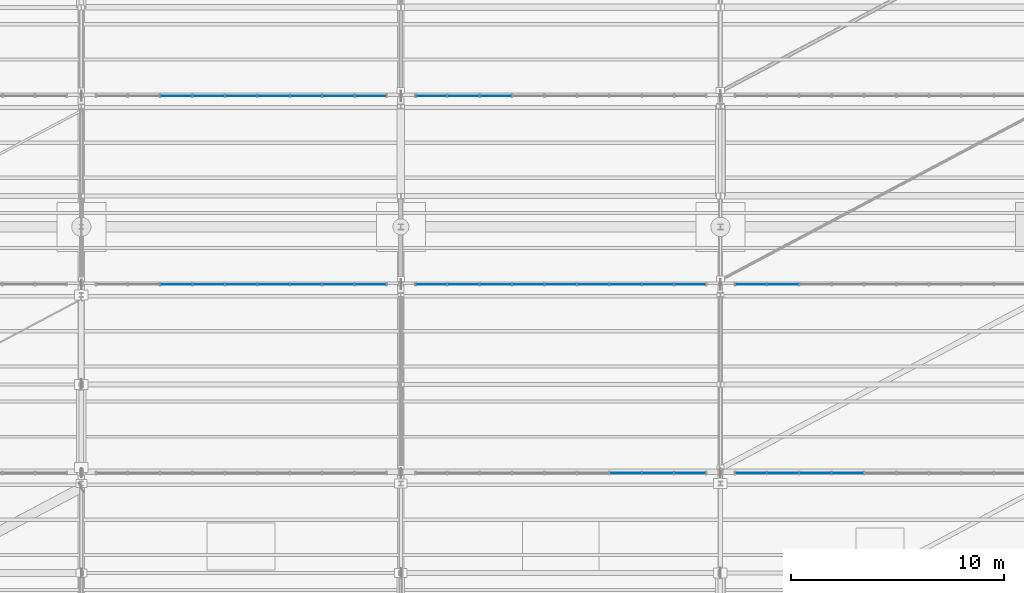
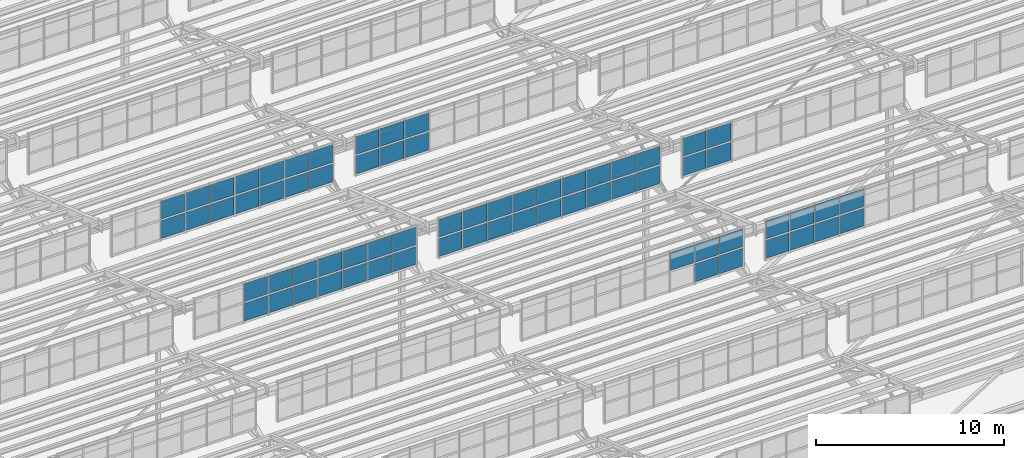
# One storey, part 172 of 285: 69 plates, 7 elements without a shape of their own.
"""IFC4 building model written with IfcOpenShell, lengths in metres."""

import ifcopenshell
import ifcopenshell.guid

model = None  # the IFC model being written
_history = None  # IfcOwnerHistory: only IFC2X3 demands one
_inside = {}  # id of a spatial element -> (the spatial element, [elements in it])
_under = {}  # id of a project, library or spatial element -> (it, [spatial elements below it])
_declared = {}  # id of a project -> (the project, [libraries it declares])
_typed = {}  # id of a type object -> (the type object, [elements of that type])
_made_of = {}  # id of a material, layer set ... -> (it, [elements and type objects made of it])


def new_model(schema):
    """Start an empty IFC model of exactly this schema.

    Asked for "IFC4X3", IfcOpenShell would pick the latest addendum, in which some entities
    have other attributes; the version numbers below select the first issue.
    IFC2X3 requires an IfcOwnerHistory on every rooted entity: one is made here for all.
    """
    global model, _history
    if schema == "IFC4X3":
        model = ifcopenshell.file(schema_version=(4, 3, 0, 0))
    else:
        model = ifcopenshell.file(schema=schema)
    _inside.clear()
    _under.clear()
    _declared.clear()
    _typed.clear()
    _made_of.clear()
    _history = None
    if model.schema == "IFC2X3":
        org = make("IfcOrganization", Name="unknown")
        user = make(
            "IfcPersonAndOrganization",
            ThePerson=make("IfcPerson", FamilyName="unknown"),
            TheOrganization=org,
        )
        app = make(
            "IfcApplication",
            ApplicationDeveloper=org,
            Version="unknown",
            ApplicationFullName="unknown",
            ApplicationIdentifier="unknown",
        )
        _history = make(
            "IfcOwnerHistory",
            OwningUser=user,
            OwningApplication=app,
            ChangeAction="ADDED",
            CreationDate=0,
        )
    return model


def make(cls, **values):
    """One entity of the class cls with the attributes given. An attribute that is None is left unset."""
    return model.create_entity(
        cls, **{name: value for name, value in values.items() if value is not None}
    )


def rooted(cls, **values):
    """An entity with a GlobalId (a new one), such as an element, a storey or a relation."""
    return make(cls, GlobalId=ifcopenshell.guid.new(), OwnerHistory=_history, **values)


def si_unit(unit_type, name, prefix=None):
    """IfcSIUnit, for example si_unit("LENGTHUNIT", "METRE", prefix="MILLI")."""
    return make("IfcSIUnit", UnitType=unit_type, Prefix=prefix, Name=name)


def assignment(units):
    """IfcUnitAssignment: the units of a project."""
    return None if units is None else make("IfcUnitAssignment", Units=units)


def point(xyz):
    """IfcCartesianPoint."""
    return None if xyz is None else make("IfcCartesianPoint", Coordinates=xyz)


def direction(xyz):
    """IfcDirection."""
    return None if xyz is None else make("IfcDirection", DirectionRatios=xyz)


def frame(location, z_axis=None, x_axis=None):
    """IfcAxis2Placement3D, a coordinate frame: its origin and axes. An axis left out is left unset."""
    return make(
        "IfcAxis2Placement3D",
        Location=point(location),
        Axis=direction(z_axis),
        RefDirection=direction(x_axis),
    )


def frame_2d(location, x_axis=None):
    """IfcAxis2Placement2D, a coordinate frame in the plane: its origin and x axis."""
    return make(
        "IfcAxis2Placement2D", Location=point(location), RefDirection=direction(x_axis)
    )


def origin():
    """The frame at (0, 0, 0) with its axes left unset."""
    return frame((0.0, 0.0, 0.0))


def origin_2d():
    """The frame at (0, 0) in the plane with its x axis left unset."""
    return frame_2d((0.0, 0.0))


def place(relative_to, where):
    """IfcLocalPlacement: puts the frame where relative to a parent placement (None: the world)."""
    return make(
        "IfcLocalPlacement", PlacementRelTo=relative_to, RelativePlacement=where
    )


def context(
    kind, dimensions, precision=None, world=None, true_north=None, identifier=None
):
    """IfcGeometricRepresentationContext, for example the 3D "Model" context."""
    return make(
        "IfcGeometricRepresentationContext",
        ContextIdentifier=identifier,
        ContextType=kind,
        CoordinateSpaceDimension=dimensions,
        Precision=precision,
        WorldCoordinateSystem=world,
        TrueNorth=true_north,
    )


def subcontext(parent, identifier, kind, view, scale=None):
    """IfcGeometricRepresentationSubContext, for example "Body" below "Model"."""
    return make(
        "IfcGeometricRepresentationSubContext",
        ContextIdentifier=identifier,
        ContextType=kind,
        ParentContext=parent,
        TargetScale=scale,
        TargetView=view,
    )


def project(units=None, contexts=None):
    """IfcProject with its units and contexts."""
    return rooted(
        "IfcProject",
        Name="project",
        RepresentationContexts=contexts,
        UnitsInContext=assignment(units),
    )


def spatial(cls, under=None, at=None, **own):
    """A site, building, storey or space (cls), placed at a placement, below another one or the project."""
    s = rooted(cls, ObjectPlacement=at, **own)
    if under is not None:
        _under.setdefault(under.id(), (under, []))[1].append(s)
    return s


def profile(cls, at=None, kind="AREA", **sizes):
    """A parametric profile (cls). Its sizes go by their IFC names, for example OverallWidth=200.0."""
    return make(cls, ProfileType=kind, Position=at, **sizes)


def rectangle(**sizes):
    """IfcRectangleProfileDef."""
    return profile("IfcRectangleProfileDef", **sizes)


def extrude(swept, where, along, depth):
    """IfcExtrudedAreaSolid: the profile swept, set in the frame where, extruded along a direction by depth."""
    return make(
        "IfcExtrudedAreaSolid",
        SweptArea=swept,
        Position=where,
        ExtrudedDirection=direction(along),
        Depth=depth,
    )


def shape(context_of_items, identifier, shape_type, items):
    """IfcShapeRepresentation: the items that make up one representation, for example the "Body"."""
    return make(
        "IfcShapeRepresentation",
        ContextOfItems=context_of_items,
        RepresentationIdentifier=identifier,
        RepresentationType=shape_type,
        Items=items,
    )


def material(Name=None, Category=None):
    """IfcMaterial."""
    return make("IfcMaterial", Name=Name, Category=Category)


def layer(
    of_material, thickness, ventilated=None, Name=None, Category=None, Priority=None
):
    """IfcMaterialLayer: one layer of a wall or slab, of a material (None: an air gap)."""
    return make(
        "IfcMaterialLayer",
        Material=of_material,
        LayerThickness=thickness,
        IsVentilated=ventilated,
        Name=Name,
        Category=Category,
        Priority=Priority,
    )


def layer_set(layers, Name=None):
    """IfcMaterialLayerSet."""
    return make("IfcMaterialLayerSet", MaterialLayers=layers, LayerSetName=Name)


def made_of(thing, what):
    """Note that an element or type object is made of a material, layer set ...; save() writes the relation."""
    if what is not None:
        _made_of.setdefault(what.id(), (what, []))[1].append(thing)
    return thing


def type_object(cls, material=None, **own):
    """A type object (cls), such as IfcWallType, which elements share."""
    return made_of(rooted(cls, **own), material)


def element(
    cls,
    number,
    at=None,
    inside=None,
    cuts=None,
    type_object=None,
    material=None,
    context=None,
    identifier="Body",
    shape_type=None,
    held_by="IfcProductDefinitionShape",
    body=None,
    shapes=None,
    **own,
):
    """One element of the class cls, such as IfcWall. Its Tag is "e" and its number.

    at: its placement. inside: the storey or other place that contains it. cuts: it is an
    opening in that element (IfcRelVoidsElement). A single representation is given by context,
    identifier, shape_type and body (its items); several are given by shapes. held_by: the class
    of the entity that holds the representations. save() writes the other relations.
    """
    e = rooted(cls, Tag="e%d" % number, ObjectPlacement=at, **own)
    if body is not None:
        shapes = [shape(context, identifier, shape_type, body)]
    if shapes is not None:
        e.Representation = make(held_by, Representations=shapes)
    if inside is not None:
        _inside.setdefault(inside.id(), (inside, []))[1].append(e)
    if cuts is not None:
        rooted(
            "IfcRelVoidsElement", RelatingBuildingElement=cuts, RelatedOpeningElement=e
        )
    if type_object is not None:
        _typed.setdefault(type_object.id(), (type_object, []))[1].append(e)
    return made_of(e, material)


def aggregate(whole, parts):
    """IfcRelAggregates: a whole, such as a stair, and the parts it consists of."""
    return rooted("IfcRelAggregates", RelatingObject=whole, RelatedObjects=parts)


def save(model, path):
    """Write the relations noted so far, then the file.

    IfcRelAggregates (storeys below a building ...), IfcRelContainedInSpatialStructure (elements
    in a storey), IfcRelDefinesByType, IfcRelAssociatesMaterial and IfcRelDeclares: one each for
    every whole, place, type object, material and project.
    """
    for whole, parts in _under.values():
        aggregate(whole, parts)
    for where, things in _inside.values():
        rooted(
            "IfcRelContainedInSpatialStructure",
            RelatedElements=things,
            RelatingStructure=where,
        )
    for kind, things in _typed.values():
        rooted("IfcRelDefinesByType", RelatedObjects=things, RelatingType=kind)
    for what, things in _made_of.values():
        rooted("IfcRelAssociatesMaterial", RelatedObjects=things, RelatingMaterial=what)
    for by, libraries in _declared.values():
        rooted("IfcRelDeclares", RelatingContext=by, RelatedDefinitions=libraries)
    model.write(path)


model = new_model("IFC4")

# Units and contexts
model_context = context("Model", 3, precision=1e-05, world=origin(), true_north=direction((0.0, 1.0)))
body_context = subcontext(model_context, "Body", "Model", "MODEL_VIEW")
ifc_project = project(units=[si_unit("LENGTHUNIT", "METRE"), si_unit("AREAUNIT", "SQUARE_METRE"), si_unit("VOLUMEUNIT", "CUBIC_METRE"), si_unit("PLANEANGLEUNIT", "RADIAN"), si_unit("MASSUNIT", "GRAM", prefix="KILO")], contexts=[model_context])

# Site, building, storey
site_placement = place(None, origin())
site = spatial("IfcSite", under=ifc_project, at=site_placement, CompositionType="ELEMENT")
building_placement = place(site_placement, origin())
building = spatial("IfcBuilding", under=site, at=building_placement, Name="Solanera Park Tramway Depot", CompositionType="ELEMENT")
storey_placement = place(building_placement, origin())
storey = spatial("IfcBuildingStorey", under=building, at=storey_placement, Name="L00", CompositionType="ELEMENT", Elevation=0.0)

# Curtain wall, plates
ifc_material_1 = material(Name="Bronze-anodised thermally broken aluminium curtain wall", Category="aluminium")
curtain_wall_type = type_object("IfcCurtainWallType", Name="Sawtooth Clerestory Monitor Curtain Wall", PredefinedType="NOTDEFINED", material=ifc_material_1)
curtain_wall_1_placement = place(storey_placement, origin())
curtain_wall_1 = element("IfcCurtainWall", 1, at=curtain_wall_1_placement, inside=storey, type_object=curtain_wall_type, Name="L00 Sawtooth Clerestory Monitor Curtain Wall #016", PredefinedType="NOTDEFINED")
ifc_material_2 = material(Name="Low-E laminated solar-control double glazing", Category="glass")
ifc_layer = layer(ifc_material_2, 0.028076171875)
ifc_layer_set = layer_set([ifc_layer], Name="Low-E laminated solar-control double glazing")
plate_type = type_object("IfcPlateType", Name="Curtain Wall Double Glazing Panel 28", PredefinedType="CURTAIN_PANEL", material=ifc_layer_set)
plate_1_placement = place(storey_placement, frame((87.066650390625, 73.449951171875, 7.862060546875), z_axis=(0.0, 0.0, 1.0), x_axis=(1.0, 0.0, 0.0)))
plate_1 = element("IfcPlate", 2, at=plate_1_placement, type_object=plate_type, Name="CW-L00-016 Glazing Panel R1.C8", PredefinedType="CURTAIN_PANEL", context=body_context, shape_type="SweptSolid", body=[
    extrude(rectangle(XDim=1.47021484375, YDim=0.028076171875, at=origin_2d()), origin(), (0.0, 0.0, 1.0), 1.16650390625),
])
plate_2_placement = place(storey_placement, frame((88.572509765625, 73.449951171875, 7.862060546875), z_axis=(0.0, 0.0, 1.0), x_axis=(1.0, 0.0, 0.0)))
plate_2 = element("IfcPlate", 3, at=plate_2_placement, type_object=plate_type, Name="CW-L00-016 Glazing Panel R1.C9", PredefinedType="CURTAIN_PANEL", context=body_context, shape_type="SweptSolid", body=[
    extrude(rectangle(XDim=1.437744140625, YDim=0.028076171875, at=origin_2d()), origin(), (0.0, 0.0, 1.0), 1.16650390625),
])
plate_3_placement = place(storey_placement, frame((85.54443359375, 73.449951171875, 9.132568359375), z_axis=(0.0, 0.0, 1.0), x_axis=(1.0, 0.0, 0.0)))
plate_3 = element("IfcPlate", 4, at=plate_3_placement, type_object=plate_type, Name="CW-L00-016 Glazing Panel R2.C7", PredefinedType="CURTAIN_PANEL", context=body_context, shape_type="SweptSolid", body=[
    extrude(rectangle(XDim=1.47021484375, YDim=0.028076171875, at=origin_2d()), origin(), (0.0, 0.0, 1.0), 1.16650390625),
])
plate_4_placement = place(storey_placement, frame((87.066650390625, 73.449951171875, 9.132568359375), z_axis=(0.0, 0.0, 1.0), x_axis=(1.0, 0.0, 0.0)))
plate_4 = element("IfcPlate", 5, at=plate_4_placement, type_object=plate_type, Name="CW-L00-016 Glazing Panel R2.C8", PredefinedType="CURTAIN_PANEL", context=body_context, shape_type="SweptSolid", body=[
    extrude(rectangle(XDim=1.47021484375, YDim=0.028076171875, at=origin_2d()), origin(), (0.0, 0.0, 1.0), 1.16650390625),
])
plate_5_placement = place(storey_placement, frame((88.572509765625, 73.449951171875, 9.132568359375), z_axis=(0.0, 0.0, 1.0), x_axis=(1.0, 0.0, 0.0)))
plate_5 = element("IfcPlate", 6, at=plate_5_placement, type_object=plate_type, Name="CW-L00-016 Glazing Panel R2.C9", PredefinedType="CURTAIN_PANEL", context=body_context, shape_type="SweptSolid", body=[
    extrude(rectangle(XDim=1.437744140625, YDim=0.028076171875, at=origin_2d()), origin(), (0.0, 0.0, 1.0), 1.16650390625),
])
aggregate(curtain_wall_1, [plate_1, plate_2, plate_3, plate_4, plate_5])

curtain_wall_2_placement = place(storey_placement, origin())
curtain_wall_2 = element("IfcCurtainWall", 7, at=curtain_wall_2_placement, inside=storey, type_object=curtain_wall_type, Name="L00 Sawtooth Clerestory Monitor Curtain Wall #017", PredefinedType="NOTDEFINED")
plate_6_placement = place(storey_placement, frame((91.427490234375, 73.449951171875, 7.862060546875), z_axis=(0.0, 0.0, 1.0), x_axis=(1.0, 0.0, 0.0)))
plate_6 = element("IfcPlate", 8, at=plate_6_placement, type_object=plate_type, Name="CW-L00-017 Glazing Panel R1.C1", PredefinedType="CURTAIN_PANEL", context=body_context, shape_type="SweptSolid", body=[
    extrude(rectangle(XDim=1.437744140625, YDim=0.028076171875, at=origin_2d()), origin(), (0.0, 0.0, 1.0), 1.16650390625),
])
plate_7_placement = place(storey_placement, frame((92.933349609375, 73.449951171875, 7.862060546875), z_axis=(0.0, 0.0, 1.0), x_axis=(1.0, 0.0, 0.0)))
plate_7 = element("IfcPlate", 9, at=plate_7_placement, type_object=plate_type, Name="CW-L00-017 Glazing Panel R1.C2", PredefinedType="CURTAIN_PANEL", context=body_context, shape_type="SweptSolid", body=[
    extrude(rectangle(XDim=1.47021484375, YDim=0.028076171875, at=origin_2d()), origin(), (0.0, 0.0, 1.0), 1.16650390625),
])
plate_8_placement = place(storey_placement, frame((94.45556640625, 73.449951171875, 7.862060546875), z_axis=(0.0, 0.0, 1.0), x_axis=(1.0, 0.0, 0.0)))
plate_8 = element("IfcPlate", 10, at=plate_8_placement, type_object=plate_type, Name="CW-L00-017 Glazing Panel R1.C3", PredefinedType="CURTAIN_PANEL", context=body_context, shape_type="SweptSolid", body=[
    extrude(rectangle(XDim=1.47021484375, YDim=0.028076171875, at=origin_2d()), origin(), (0.0, 0.0, 1.0), 1.16650390625),
])
plate_9_placement = place(storey_placement, frame((95.977783203125, 73.449951171875, 7.862060546875), z_axis=(0.0, 0.0, 1.0), x_axis=(1.0, 0.0, 0.0)))
plate_9 = element("IfcPlate", 11, at=plate_9_placement, type_object=plate_type, Name="CW-L00-017 Glazing Panel R1.C4", PredefinedType="CURTAIN_PANEL", context=body_context, shape_type="SweptSolid", body=[
    extrude(rectangle(XDim=1.47021484375, YDim=0.028076171875, at=origin_2d()), origin(), (0.0, 0.0, 1.0), 1.16650390625),
])
plate_10_placement = place(storey_placement, frame((91.427490234375, 73.449951171875, 9.132568359375), z_axis=(0.0, 0.0, 1.0), x_axis=(1.0, 0.0, 0.0)))
plate_10 = element("IfcPlate", 12, at=plate_10_placement, type_object=plate_type, Name="CW-L00-017 Glazing Panel R2.C1", PredefinedType="CURTAIN_PANEL", context=body_context, shape_type="SweptSolid", body=[
    extrude(rectangle(XDim=1.437744140625, YDim=0.028076171875, at=origin_2d()), origin(), (0.0, 0.0, 1.0), 1.16650390625),
])
plate_11_placement = place(storey_placement, frame((92.933349609375, 73.449951171875, 9.132568359375), z_axis=(0.0, 0.0, 1.0), x_axis=(1.0, 0.0, 0.0)))
plate_11 = element("IfcPlate", 13, at=plate_11_placement, type_object=plate_type, Name="CW-L00-017 Glazing Panel R2.C2", PredefinedType="CURTAIN_PANEL", context=body_context, shape_type="SweptSolid", body=[
    extrude(rectangle(XDim=1.47021484375, YDim=0.028076171875, at=origin_2d()), origin(), (0.0, 0.0, 1.0), 1.16650390625),
])
plate_12_placement = place(storey_placement, frame((94.45556640625, 73.449951171875, 9.132568359375), z_axis=(0.0, 0.0, 1.0), x_axis=(1.0, 0.0, 0.0)))
plate_12 = element("IfcPlate", 14, at=plate_12_placement, type_object=plate_type, Name="CW-L00-017 Glazing Panel R2.C3", PredefinedType="CURTAIN_PANEL", context=body_context, shape_type="SweptSolid", body=[
    extrude(rectangle(XDim=1.47021484375, YDim=0.028076171875, at=origin_2d()), origin(), (0.0, 0.0, 1.0), 1.16650390625),
])
plate_13_placement = place(storey_placement, frame((95.977783203125, 73.449951171875, 9.132568359375), z_axis=(0.0, 0.0, 1.0), x_axis=(1.0, 0.0, 0.0)))
plate_13 = element("IfcPlate", 15, at=plate_13_placement, type_object=plate_type, Name="CW-L00-017 Glazing Panel R2.C4", PredefinedType="CURTAIN_PANEL", context=body_context, shape_type="SweptSolid", body=[
    extrude(rectangle(XDim=1.47021484375, YDim=0.028076171875, at=origin_2d()), origin(), (0.0, 0.0, 1.0), 1.16650390625),
])
aggregate(curtain_wall_2, [plate_6, plate_7, plate_8, plate_9, plate_10, plate_11, plate_12, plate_13])

curtain_wall_3_placement = place(storey_placement, origin())
curtain_wall_3 = element("IfcCurtainWall", 16, at=curtain_wall_3_placement, inside=storey, type_object=curtain_wall_type, Name="L00 Sawtooth Clerestory Monitor Curtain Wall #023", PredefinedType="NOTDEFINED")
plate_14_placement = place(storey_placement, frame((64.45556640625, 82.300048828125, 7.862060546875), z_axis=(0.0, 0.0, 1.0), x_axis=(1.0, 0.0, 0.0)))
plate_14 = element("IfcPlate", 17, at=plate_14_placement, type_object=plate_type, Name="CW-L00-023 Glazing Panel R1.C3", PredefinedType="CURTAIN_PANEL", context=body_context, shape_type="SweptSolid", body=[
    extrude(rectangle(XDim=1.47021484375, YDim=0.028076171875, at=origin_2d()), origin(), (0.0, 0.0, 1.0), 1.16650390625),
])
plate_15_placement = place(storey_placement, frame((65.977783203125, 82.300048828125, 7.862060546875), z_axis=(0.0, 0.0, 1.0), x_axis=(1.0, 0.0, 0.0)))
plate_15 = element("IfcPlate", 18, at=plate_15_placement, type_object=plate_type, Name="CW-L00-023 Glazing Panel R1.C4", PredefinedType="CURTAIN_PANEL", context=body_context, shape_type="SweptSolid", body=[
    extrude(rectangle(XDim=1.47021484375, YDim=0.028076171875, at=origin_2d()), origin(), (0.0, 0.0, 1.0), 1.16650390625),
])
plate_16_placement = place(storey_placement, frame((67.5, 82.300048828125, 7.862060546875), z_axis=(0.0, 0.0, 1.0), x_axis=(1.0, 0.0, 0.0)))
plate_16 = element("IfcPlate", 19, at=plate_16_placement, type_object=plate_type, Name="CW-L00-023 Glazing Panel R1.C5", PredefinedType="CURTAIN_PANEL", context=body_context, shape_type="SweptSolid", body=[
    extrude(rectangle(XDim=1.47021484375, YDim=0.028076171875, at=origin_2d()), origin(), (0.0, 0.0, 1.0), 1.16650390625),
])
plate_17_placement = place(storey_placement, frame((69.022216796875, 82.300048828125, 7.862060546875), z_axis=(0.0, 0.0, 1.0), x_axis=(1.0, 0.0, 0.0)))
plate_17 = element("IfcPlate", 20, at=plate_17_placement, type_object=plate_type, Name="CW-L00-023 Glazing Panel R1.C6", PredefinedType="CURTAIN_PANEL", context=body_context, shape_type="SweptSolid", body=[
    extrude(rectangle(XDim=1.47021484375, YDim=0.028076171875, at=origin_2d()), origin(), (0.0, 0.0, 1.0), 1.16650390625),
])
plate_18_placement = place(storey_placement, frame((70.54443359375, 82.300048828125, 7.862060546875), z_axis=(0.0, 0.0, 1.0), x_axis=(1.0, 0.0, 0.0)))
plate_18 = element("IfcPlate", 21, at=plate_18_placement, type_object=plate_type, Name="CW-L00-023 Glazing Panel R1.C7", PredefinedType="CURTAIN_PANEL", context=body_context, shape_type="SweptSolid", body=[
    extrude(rectangle(XDim=1.47021484375, YDim=0.028076171875, at=origin_2d()), origin(), (0.0, 0.0, 1.0), 1.16650390625),
])
plate_19_placement = place(storey_placement, frame((72.066650390625, 82.300048828125, 7.862060546875), z_axis=(0.0, 0.0, 1.0), x_axis=(1.0, 0.0, 0.0)))
plate_19 = element("IfcPlate", 22, at=plate_19_placement, type_object=plate_type, Name="CW-L00-023 Glazing Panel R1.C8", PredefinedType="CURTAIN_PANEL", context=body_context, shape_type="SweptSolid", body=[
    extrude(rectangle(XDim=1.47021484375, YDim=0.028076171875, at=origin_2d()), origin(), (0.0, 0.0, 1.0), 1.16650390625),
])
plate_20_placement = place(storey_placement, frame((73.572509765625, 82.300048828125, 7.862060546875), z_axis=(0.0, 0.0, 1.0), x_axis=(1.0, 0.0, 0.0)))
plate_20 = element("IfcPlate", 23, at=plate_20_placement, type_object=plate_type, Name="CW-L00-023 Glazing Panel R1.C9", PredefinedType="CURTAIN_PANEL", context=body_context, shape_type="SweptSolid", body=[
    extrude(rectangle(XDim=1.437744140625, YDim=0.028076171875, at=origin_2d()), origin(), (0.0, 0.0, 1.0), 1.16650390625),
])
plate_21_placement = place(storey_placement, frame((64.45556640625, 82.300048828125, 9.132568359375), z_axis=(0.0, 0.0, 1.0), x_axis=(1.0, 0.0, 0.0)))
plate_21 = element("IfcPlate", 24, at=plate_21_placement, type_object=plate_type, Name="CW-L00-023 Glazing Panel R2.C3", PredefinedType="CURTAIN_PANEL", context=body_context, shape_type="SweptSolid", body=[
    extrude(rectangle(XDim=1.47021484375, YDim=0.028076171875, at=origin_2d()), origin(), (0.0, 0.0, 1.0), 1.16650390625),
])
plate_22_placement = place(storey_placement, frame((65.977783203125, 82.300048828125, 9.132568359375), z_axis=(0.0, 0.0, 1.0), x_axis=(1.0, 0.0, 0.0)))
plate_22 = element("IfcPlate", 25, at=plate_22_placement, type_object=plate_type, Name="CW-L00-023 Glazing Panel R2.C4", PredefinedType="CURTAIN_PANEL", context=body_context, shape_type="SweptSolid", body=[
    extrude(rectangle(XDim=1.47021484375, YDim=0.028076171875, at=origin_2d()), origin(), (0.0, 0.0, 1.0), 1.16650390625),
])
plate_23_placement = place(storey_placement, frame((67.5, 82.300048828125, 9.132568359375), z_axis=(0.0, 0.0, 1.0), x_axis=(1.0, 0.0, 0.0)))
plate_23 = element("IfcPlate", 26, at=plate_23_placement, type_object=plate_type, Name="CW-L00-023 Glazing Panel R2.C5", PredefinedType="CURTAIN_PANEL", context=body_context, shape_type="SweptSolid", body=[
    extrude(rectangle(XDim=1.47021484375, YDim=0.028076171875, at=origin_2d()), origin(), (0.0, 0.0, 1.0), 1.16650390625),
])
plate_24_placement = place(storey_placement, frame((69.022216796875, 82.300048828125, 9.132568359375), z_axis=(0.0, 0.0, 1.0), x_axis=(1.0, 0.0, 0.0)))
plate_24 = element("IfcPlate", 27, at=plate_24_placement, type_object=plate_type, Name="CW-L00-023 Glazing Panel R2.C6", PredefinedType="CURTAIN_PANEL", context=body_context, shape_type="SweptSolid", body=[
    extrude(rectangle(XDim=1.47021484375, YDim=0.028076171875, at=origin_2d()), origin(), (0.0, 0.0, 1.0), 1.16650390625),
])
plate_25_placement = place(storey_placement, frame((70.54443359375, 82.300048828125, 9.132568359375), z_axis=(0.0, 0.0, 1.0), x_axis=(1.0, 0.0, 0.0)))
plate_25 = element("IfcPlate", 28, at=plate_25_placement, type_object=plate_type, Name="CW-L00-023 Glazing Panel R2.C7", PredefinedType="CURTAIN_PANEL", context=body_context, shape_type="SweptSolid", body=[
    extrude(rectangle(XDim=1.47021484375, YDim=0.028076171875, at=origin_2d()), origin(), (0.0, 0.0, 1.0), 1.16650390625),
])
plate_26_placement = place(storey_placement, frame((72.066650390625, 82.300048828125, 9.132568359375), z_axis=(0.0, 0.0, 1.0), x_axis=(1.0, 0.0, 0.0)))
plate_26 = element("IfcPlate", 29, at=plate_26_placement, type_object=plate_type, Name="CW-L00-023 Glazing Panel R2.C8", PredefinedType="CURTAIN_PANEL", context=body_context, shape_type="SweptSolid", body=[
    extrude(rectangle(XDim=1.47021484375, YDim=0.028076171875, at=origin_2d()), origin(), (0.0, 0.0, 1.0), 1.16650390625),
])
plate_27_placement = place(storey_placement, frame((73.572509765625, 82.300048828125, 9.132568359375), z_axis=(0.0, 0.0, 1.0), x_axis=(1.0, 0.0, 0.0)))
plate_27 = element("IfcPlate", 30, at=plate_27_placement, type_object=plate_type, Name="CW-L00-023 Glazing Panel R2.C9", PredefinedType="CURTAIN_PANEL", context=body_context, shape_type="SweptSolid", body=[
    extrude(rectangle(XDim=1.437744140625, YDim=0.028076171875, at=origin_2d()), origin(), (0.0, 0.0, 1.0), 1.16650390625),
])
aggregate(curtain_wall_3, [plate_14, plate_15, plate_16, plate_17, plate_18, plate_19, plate_20, plate_21, plate_22, plate_23, plate_24, plate_25, plate_26, plate_27])

curtain_wall_4_placement = place(storey_placement, origin())
curtain_wall_4 = element("IfcCurtainWall", 31, at=curtain_wall_4_placement, inside=storey, type_object=curtain_wall_type, Name="L00 Sawtooth Clerestory Monitor Curtain Wall #024", PredefinedType="NOTDEFINED")
plate_28_placement = place(storey_placement, frame((76.427490234375, 82.300048828125, 7.862060546875), z_axis=(0.0, 0.0, 1.0), x_axis=(1.0, 0.0, 0.0)))
plate_28 = element("IfcPlate", 32, at=plate_28_placement, type_object=plate_type, Name="CW-L00-024 Glazing Panel R1.C1", PredefinedType="CURTAIN_PANEL", context=body_context, shape_type="SweptSolid", body=[
    extrude(rectangle(XDim=1.437744140625, YDim=0.028076171875, at=origin_2d()), origin(), (0.0, 0.0, 1.0), 1.16650390625),
])
plate_29_placement = place(storey_placement, frame((77.933349609375, 82.300048828125, 7.862060546875), z_axis=(0.0, 0.0, 1.0), x_axis=(1.0, 0.0, 0.0)))
plate_29 = element("IfcPlate", 33, at=plate_29_placement, type_object=plate_type, Name="CW-L00-024 Glazing Panel R1.C2", PredefinedType="CURTAIN_PANEL", context=body_context, shape_type="SweptSolid", body=[
    extrude(rectangle(XDim=1.47021484375, YDim=0.028076171875, at=origin_2d()), origin(), (0.0, 0.0, 1.0), 1.16650390625),
])
plate_30_placement = place(storey_placement, frame((79.45556640625, 82.300048828125, 7.862060546875), z_axis=(0.0, 0.0, 1.0), x_axis=(1.0, 0.0, 0.0)))
plate_30 = element("IfcPlate", 34, at=plate_30_placement, type_object=plate_type, Name="CW-L00-024 Glazing Panel R1.C3", PredefinedType="CURTAIN_PANEL", context=body_context, shape_type="SweptSolid", body=[
    extrude(rectangle(XDim=1.47021484375, YDim=0.028076171875, at=origin_2d()), origin(), (0.0, 0.0, 1.0), 1.16650390625),
])
plate_31_placement = place(storey_placement, frame((80.977783203125, 82.300048828125, 7.862060546875), z_axis=(0.0, 0.0, 1.0), x_axis=(1.0, 0.0, 0.0)))
plate_31 = element("IfcPlate", 35, at=plate_31_placement, type_object=plate_type, Name="CW-L00-024 Glazing Panel R1.C4", PredefinedType="CURTAIN_PANEL", context=body_context, shape_type="SweptSolid", body=[
    extrude(rectangle(XDim=1.47021484375, YDim=0.028076171875, at=origin_2d()), origin(), (0.0, 0.0, 1.0), 1.16650390625),
])
plate_32_placement = place(storey_placement, frame((82.5, 82.300048828125, 7.862060546875), z_axis=(0.0, 0.0, 1.0), x_axis=(1.0, 0.0, 0.0)))
plate_32 = element("IfcPlate", 36, at=plate_32_placement, type_object=plate_type, Name="CW-L00-024 Glazing Panel R1.C5", PredefinedType="CURTAIN_PANEL", context=body_context, shape_type="SweptSolid", body=[
    extrude(rectangle(XDim=1.47021484375, YDim=0.028076171875, at=origin_2d()), origin(), (0.0, 0.0, 1.0), 1.16650390625),
])
plate_33_placement = place(storey_placement, frame((84.022216796875, 82.300048828125, 7.862060546875), z_axis=(0.0, 0.0, 1.0), x_axis=(1.0, 0.0, 0.0)))
plate_33 = element("IfcPlate", 37, at=plate_33_placement, type_object=plate_type, Name="CW-L00-024 Glazing Panel R1.C6", PredefinedType="CURTAIN_PANEL", context=body_context, shape_type="SweptSolid", body=[
    extrude(rectangle(XDim=1.47021484375, YDim=0.028076171875, at=origin_2d()), origin(), (0.0, 0.0, 1.0), 1.16650390625),
])
plate_34_placement = place(storey_placement, frame((85.54443359375, 82.300048828125, 7.862060546875), z_axis=(0.0, 0.0, 1.0), x_axis=(1.0, 0.0, 0.0)))
plate_34 = element("IfcPlate", 38, at=plate_34_placement, type_object=plate_type, Name="CW-L00-024 Glazing Panel R1.C7", PredefinedType="CURTAIN_PANEL", context=body_context, shape_type="SweptSolid", body=[
    extrude(rectangle(XDim=1.47021484375, YDim=0.028076171875, at=origin_2d()), origin(), (0.0, 0.0, 1.0), 1.16650390625),
])
plate_35_placement = place(storey_placement, frame((87.066650390625, 82.300048828125, 7.862060546875), z_axis=(0.0, 0.0, 1.0), x_axis=(1.0, 0.0, 0.0)))
plate_35 = element("IfcPlate", 39, at=plate_35_placement, type_object=plate_type, Name="CW-L00-024 Glazing Panel R1.C8", PredefinedType="CURTAIN_PANEL", context=body_context, shape_type="SweptSolid", body=[
    extrude(rectangle(XDim=1.47021484375, YDim=0.028076171875, at=origin_2d()), origin(), (0.0, 0.0, 1.0), 1.16650390625),
])
plate_36_placement = place(storey_placement, frame((88.572509765625, 82.300048828125, 7.862060546875), z_axis=(0.0, 0.0, 1.0), x_axis=(1.0, 0.0, 0.0)))
plate_36 = element("IfcPlate", 40, at=plate_36_placement, type_object=plate_type, Name="CW-L00-024 Glazing Panel R1.C9", PredefinedType="CURTAIN_PANEL", context=body_context, shape_type="SweptSolid", body=[
    extrude(rectangle(XDim=1.437744140625, YDim=0.028076171875, at=origin_2d()), origin(), (0.0, 0.0, 1.0), 1.16650390625),
])
plate_37_placement = place(storey_placement, frame((76.427490234375, 82.300048828125, 9.132568359375), z_axis=(0.0, 0.0, 1.0), x_axis=(1.0, 0.0, 0.0)))
plate_37 = element("IfcPlate", 41, at=plate_37_placement, type_object=plate_type, Name="CW-L00-024 Glazing Panel R2.C1", PredefinedType="CURTAIN_PANEL", context=body_context, shape_type="SweptSolid", body=[
    extrude(rectangle(XDim=1.437744140625, YDim=0.028076171875, at=origin_2d()), origin(), (0.0, 0.0, 1.0), 1.16650390625),
])
plate_38_placement = place(storey_placement, frame((77.933349609375, 82.300048828125, 9.132568359375), z_axis=(0.0, 0.0, 1.0), x_axis=(1.0, 0.0, 0.0)))
plate_38 = element("IfcPlate", 42, at=plate_38_placement, type_object=plate_type, Name="CW-L00-024 Glazing Panel R2.C2", PredefinedType="CURTAIN_PANEL", context=body_context, shape_type="SweptSolid", body=[
    extrude(rectangle(XDim=1.47021484375, YDim=0.028076171875, at=origin_2d()), origin(), (0.0, 0.0, 1.0), 1.16650390625),
])
plate_39_placement = place(storey_placement, frame((79.45556640625, 82.300048828125, 9.132568359375), z_axis=(0.0, 0.0, 1.0), x_axis=(1.0, 0.0, 0.0)))
plate_39 = element("IfcPlate", 43, at=plate_39_placement, type_object=plate_type, Name="CW-L00-024 Glazing Panel R2.C3", PredefinedType="CURTAIN_PANEL", context=body_context, shape_type="SweptSolid", body=[
    extrude(rectangle(XDim=1.47021484375, YDim=0.028076171875, at=origin_2d()), origin(), (0.0, 0.0, 1.0), 1.16650390625),
])
plate_40_placement = place(storey_placement, frame((80.977783203125, 82.300048828125, 9.132568359375), z_axis=(0.0, 0.0, 1.0), x_axis=(1.0, 0.0, 0.0)))
plate_40 = element("IfcPlate", 44, at=plate_40_placement, type_object=plate_type, Name="CW-L00-024 Glazing Panel R2.C4", PredefinedType="CURTAIN_PANEL", context=body_context, shape_type="SweptSolid", body=[
    extrude(rectangle(XDim=1.47021484375, YDim=0.028076171875, at=origin_2d()), origin(), (0.0, 0.0, 1.0), 1.16650390625),
])
plate_41_placement = place(storey_placement, frame((82.5, 82.300048828125, 9.132568359375), z_axis=(0.0, 0.0, 1.0), x_axis=(1.0, 0.0, 0.0)))
plate_41 = element("IfcPlate", 45, at=plate_41_placement, type_object=plate_type, Name="CW-L00-024 Glazing Panel R2.C5", PredefinedType="CURTAIN_PANEL", context=body_context, shape_type="SweptSolid", body=[
    extrude(rectangle(XDim=1.47021484375, YDim=0.028076171875, at=origin_2d()), origin(), (0.0, 0.0, 1.0), 1.16650390625),
])
plate_42_placement = place(storey_placement, frame((84.022216796875, 82.300048828125, 9.132568359375), z_axis=(0.0, 0.0, 1.0), x_axis=(1.0, 0.0, 0.0)))
plate_42 = element("IfcPlate", 46, at=plate_42_placement, type_object=plate_type, Name="CW-L00-024 Glazing Panel R2.C6", PredefinedType="CURTAIN_PANEL", context=body_context, shape_type="SweptSolid", body=[
    extrude(rectangle(XDim=1.47021484375, YDim=0.028076171875, at=origin_2d()), origin(), (0.0, 0.0, 1.0), 1.16650390625),
])
plate_43_placement = place(storey_placement, frame((85.54443359375, 82.300048828125, 9.132568359375), z_axis=(0.0, 0.0, 1.0), x_axis=(1.0, 0.0, 0.0)))
plate_43 = element("IfcPlate", 47, at=plate_43_placement, type_object=plate_type, Name="CW-L00-024 Glazing Panel R2.C7", PredefinedType="CURTAIN_PANEL", context=body_context, shape_type="SweptSolid", body=[
    extrude(rectangle(XDim=1.47021484375, YDim=0.028076171875, at=origin_2d()), origin(), (0.0, 0.0, 1.0), 1.16650390625),
])
plate_44_placement = place(storey_placement, frame((87.066650390625, 82.300048828125, 9.132568359375), z_axis=(0.0, 0.0, 1.0), x_axis=(1.0, 0.0, 0.0)))
plate_44 = element("IfcPlate", 48, at=plate_44_placement, type_object=plate_type, Name="CW-L00-024 Glazing Panel R2.C8", PredefinedType="CURTAIN_PANEL", context=body_context, shape_type="SweptSolid", body=[
    extrude(rectangle(XDim=1.47021484375, YDim=0.028076171875, at=origin_2d()), origin(), (0.0, 0.0, 1.0), 1.16650390625),
])
plate_45_placement = place(storey_placement, frame((88.572509765625, 82.300048828125, 9.132568359375), z_axis=(0.0, 0.0, 1.0), x_axis=(1.0, 0.0, 0.0)))
plate_45 = element("IfcPlate", 49, at=plate_45_placement, type_object=plate_type, Name="CW-L00-024 Glazing Panel R2.C9", PredefinedType="CURTAIN_PANEL", context=body_context, shape_type="SweptSolid", body=[
    extrude(rectangle(XDim=1.437744140625, YDim=0.028076171875, at=origin_2d()), origin(), (0.0, 0.0, 1.0), 1.16650390625),
])
aggregate(curtain_wall_4, [plate_28, plate_29, plate_30, plate_31, plate_32, plate_33, plate_34, plate_35, plate_36, plate_37, plate_38, plate_39, plate_40, plate_41, plate_42, plate_43, plate_44, plate_45])

curtain_wall_5_placement = place(storey_placement, origin())
curtain_wall_5 = element("IfcCurtainWall", 50, at=curtain_wall_5_placement, inside=storey, type_object=curtain_wall_type, Name="L00 Sawtooth Clerestory Monitor Curtain Wall #025", PredefinedType="NOTDEFINED")
plate_46_placement = place(storey_placement, frame((91.427490234375, 82.300048828125, 7.862060546875), z_axis=(0.0, 0.0, 1.0), x_axis=(1.0, 0.0, 0.0)))
plate_46 = element("IfcPlate", 51, at=plate_46_placement, type_object=plate_type, Name="CW-L00-025 Glazing Panel R1.C1", PredefinedType="CURTAIN_PANEL", context=body_context, shape_type="SweptSolid", body=[
    extrude(rectangle(XDim=1.437744140625, YDim=0.028076171875, at=origin_2d()), origin(), (0.0, 0.0, 1.0), 1.16650390625),
])
plate_47_placement = place(storey_placement, frame((92.933349609375, 82.300048828125, 7.862060546875), z_axis=(0.0, 0.0, 1.0), x_axis=(1.0, 0.0, 0.0)))
plate_47 = element("IfcPlate", 52, at=plate_47_placement, type_object=plate_type, Name="CW-L00-025 Glazing Panel R1.C2", PredefinedType="CURTAIN_PANEL", context=body_context, shape_type="SweptSolid", body=[
    extrude(rectangle(XDim=1.47021484375, YDim=0.028076171875, at=origin_2d()), origin(), (0.0, 0.0, 1.0), 1.16650390625),
])
plate_48_placement = place(storey_placement, frame((91.427490234375, 82.300048828125, 9.132568359375), z_axis=(0.0, 0.0, 1.0), x_axis=(1.0, 0.0, 0.0)))
plate_48 = element("IfcPlate", 53, at=plate_48_placement, type_object=plate_type, Name="CW-L00-025 Glazing Panel R2.C1", PredefinedType="CURTAIN_PANEL", context=body_context, shape_type="SweptSolid", body=[
    extrude(rectangle(XDim=1.437744140625, YDim=0.028076171875, at=origin_2d()), origin(), (0.0, 0.0, 1.0), 1.16650390625),
])
plate_49_placement = place(storey_placement, frame((92.933349609375, 82.300048828125, 9.132568359375), z_axis=(0.0, 0.0, 1.0), x_axis=(1.0, 0.0, 0.0)))
plate_49 = element("IfcPlate", 54, at=plate_49_placement, type_object=plate_type, Name="CW-L00-025 Glazing Panel R2.C2", PredefinedType="CURTAIN_PANEL", context=body_context, shape_type="SweptSolid", body=[
    extrude(rectangle(XDim=1.47021484375, YDim=0.028076171875, at=origin_2d()), origin(), (0.0, 0.0, 1.0), 1.16650390625),
])
aggregate(curtain_wall_5, [plate_46, plate_47, plate_48, plate_49])

curtain_wall_6_placement = place(storey_placement, origin())
curtain_wall_6 = element("IfcCurtainWall", 55, at=curtain_wall_6_placement, inside=storey, type_object=curtain_wall_type, Name="L00 Sawtooth Clerestory Monitor Curtain Wall #031", PredefinedType="NOTDEFINED")
plate_50_placement = place(storey_placement, frame((64.45556640625, 91.14990234375, 7.862060546875), z_axis=(0.0, 0.0, 1.0), x_axis=(1.0, 0.0, 0.0)))
plate_50 = element("IfcPlate", 56, at=plate_50_placement, type_object=plate_type, Name="CW-L00-031 Glazing Panel R1.C3", PredefinedType="CURTAIN_PANEL", context=body_context, shape_type="SweptSolid", body=[
    extrude(rectangle(XDim=1.47021484375, YDim=0.028076171875, at=origin_2d()), origin(), (0.0, 0.0, 1.0), 1.16650390625),
])
plate_51_placement = place(storey_placement, frame((65.977783203125, 91.14990234375, 7.862060546875), z_axis=(0.0, 0.0, 1.0), x_axis=(1.0, 0.0, 0.0)))
plate_51 = element("IfcPlate", 57, at=plate_51_placement, type_object=plate_type, Name="CW-L00-031 Glazing Panel R1.C4", PredefinedType="CURTAIN_PANEL", context=body_context, shape_type="SweptSolid", body=[
    extrude(rectangle(XDim=1.47021484375, YDim=0.028076171875, at=origin_2d()), origin(), (0.0, 0.0, 1.0), 1.16650390625),
])
plate_52_placement = place(storey_placement, frame((67.5, 91.14990234375, 7.862060546875), z_axis=(0.0, 0.0, 1.0), x_axis=(1.0, 0.0, 0.0)))
plate_52 = element("IfcPlate", 58, at=plate_52_placement, type_object=plate_type, Name="CW-L00-031 Glazing Panel R1.C5", PredefinedType="CURTAIN_PANEL", context=body_context, shape_type="SweptSolid", body=[
    extrude(rectangle(XDim=1.47021484375, YDim=0.028076171875, at=origin_2d()), origin(), (0.0, 0.0, 1.0), 1.16650390625),
])
plate_53_placement = place(storey_placement, frame((69.022216796875, 91.14990234375, 7.862060546875), z_axis=(0.0, 0.0, 1.0), x_axis=(1.0, 0.0, 0.0)))
plate_53 = element("IfcPlate", 59, at=plate_53_placement, type_object=plate_type, Name="CW-L00-031 Glazing Panel R1.C6", PredefinedType="CURTAIN_PANEL", context=body_context, shape_type="SweptSolid", body=[
    extrude(rectangle(XDim=1.47021484375, YDim=0.028076171875, at=origin_2d()), origin(), (0.0, 0.0, 1.0), 1.16650390625),
])
plate_54_placement = place(storey_placement, frame((70.54443359375, 91.14990234375, 7.862060546875), z_axis=(0.0, 0.0, 1.0), x_axis=(1.0, 0.0, 0.0)))
plate_54 = element("IfcPlate", 60, at=plate_54_placement, type_object=plate_type, Name="CW-L00-031 Glazing Panel R1.C7", PredefinedType="CURTAIN_PANEL", context=body_context, shape_type="SweptSolid", body=[
    extrude(rectangle(XDim=1.47021484375, YDim=0.028076171875, at=origin_2d()), origin(), (0.0, 0.0, 1.0), 1.16650390625),
])
plate_55_placement = place(storey_placement, frame((72.066650390625, 91.14990234375, 7.862060546875), z_axis=(0.0, 0.0, 1.0), x_axis=(1.0, 0.0, 0.0)))
plate_55 = element("IfcPlate", 61, at=plate_55_placement, type_object=plate_type, Name="CW-L00-031 Glazing Panel R1.C8", PredefinedType="CURTAIN_PANEL", context=body_context, shape_type="SweptSolid", body=[
    extrude(rectangle(XDim=1.47021484375, YDim=0.028076171875, at=origin_2d()), origin(), (0.0, 0.0, 1.0), 1.16650390625),
])
plate_56_placement = place(storey_placement, frame((73.572509765625, 91.14990234375, 7.862060546875), z_axis=(0.0, 0.0, 1.0), x_axis=(1.0, 0.0, 0.0)))
plate_56 = element("IfcPlate", 62, at=plate_56_placement, type_object=plate_type, Name="CW-L00-031 Glazing Panel R1.C9", PredefinedType="CURTAIN_PANEL", context=body_context, shape_type="SweptSolid", body=[
    extrude(rectangle(XDim=1.437744140625, YDim=0.028076171875, at=origin_2d()), origin(), (0.0, 0.0, 1.0), 1.16650390625),
])
plate_57_placement = place(storey_placement, frame((64.45556640625, 91.14990234375, 9.132568359375), z_axis=(0.0, 0.0, 1.0), x_axis=(1.0, 0.0, 0.0)))
plate_57 = element("IfcPlate", 63, at=plate_57_placement, type_object=plate_type, Name="CW-L00-031 Glazing Panel R2.C3", PredefinedType="CURTAIN_PANEL", context=body_context, shape_type="SweptSolid", body=[
    extrude(rectangle(XDim=1.47021484375, YDim=0.028076171875, at=origin_2d()), origin(), (0.0, 0.0, 1.0), 1.16650390625),
])
plate_58_placement = place(storey_placement, frame((65.977783203125, 91.14990234375, 9.132568359375), z_axis=(0.0, 0.0, 1.0), x_axis=(1.0, 0.0, 0.0)))
plate_58 = element("IfcPlate", 64, at=plate_58_placement, type_object=plate_type, Name="CW-L00-031 Glazing Panel R2.C4", PredefinedType="CURTAIN_PANEL", context=body_context, shape_type="SweptSolid", body=[
    extrude(rectangle(XDim=1.47021484375, YDim=0.028076171875, at=origin_2d()), origin(), (0.0, 0.0, 1.0), 1.16650390625),
])
plate_59_placement = place(storey_placement, frame((67.5, 91.14990234375, 9.132568359375), z_axis=(0.0, 0.0, 1.0), x_axis=(1.0, 0.0, 0.0)))
plate_59 = element("IfcPlate", 65, at=plate_59_placement, type_object=plate_type, Name="CW-L00-031 Glazing Panel R2.C5", PredefinedType="CURTAIN_PANEL", context=body_context, shape_type="SweptSolid", body=[
    extrude(rectangle(XDim=1.47021484375, YDim=0.028076171875, at=origin_2d()), origin(), (0.0, 0.0, 1.0), 1.16650390625),
])
plate_60_placement = place(storey_placement, frame((69.022216796875, 91.14990234375, 9.132568359375), z_axis=(0.0, 0.0, 1.0), x_axis=(1.0, 0.0, 0.0)))
plate_60 = element("IfcPlate", 66, at=plate_60_placement, type_object=plate_type, Name="CW-L00-031 Glazing Panel R2.C6", PredefinedType="CURTAIN_PANEL", context=body_context, shape_type="SweptSolid", body=[
    extrude(rectangle(XDim=1.47021484375, YDim=0.028076171875, at=origin_2d()), origin(), (0.0, 0.0, 1.0), 1.16650390625),
])
plate_61_placement = place(storey_placement, frame((70.54443359375, 91.14990234375, 9.132568359375), z_axis=(0.0, 0.0, 1.0), x_axis=(1.0, 0.0, 0.0)))
plate_61 = element("IfcPlate", 67, at=plate_61_placement, type_object=plate_type, Name="CW-L00-031 Glazing Panel R2.C7", PredefinedType="CURTAIN_PANEL", context=body_context, shape_type="SweptSolid", body=[
    extrude(rectangle(XDim=1.47021484375, YDim=0.028076171875, at=origin_2d()), origin(), (0.0, 0.0, 1.0), 1.16650390625),
])
plate_62_placement = place(storey_placement, frame((72.066650390625, 91.14990234375, 9.132568359375), z_axis=(0.0, 0.0, 1.0), x_axis=(1.0, 0.0, 0.0)))
plate_62 = element("IfcPlate", 68, at=plate_62_placement, type_object=plate_type, Name="CW-L00-031 Glazing Panel R2.C8", PredefinedType="CURTAIN_PANEL", context=body_context, shape_type="SweptSolid", body=[
    extrude(rectangle(XDim=1.47021484375, YDim=0.028076171875, at=origin_2d()), origin(), (0.0, 0.0, 1.0), 1.16650390625),
])
plate_63_placement = place(storey_placement, frame((73.572509765625, 91.14990234375, 9.132568359375), z_axis=(0.0, 0.0, 1.0), x_axis=(1.0, 0.0, 0.0)))
plate_63 = element("IfcPlate", 69, at=plate_63_placement, type_object=plate_type, Name="CW-L00-031 Glazing Panel R2.C9", PredefinedType="CURTAIN_PANEL", context=body_context, shape_type="SweptSolid", body=[
    extrude(rectangle(XDim=1.437744140625, YDim=0.028076171875, at=origin_2d()), origin(), (0.0, 0.0, 1.0), 1.16650390625),
])
aggregate(curtain_wall_6, [plate_50, plate_51, plate_52, plate_53, plate_54, plate_55, plate_56, plate_57, plate_58, plate_59, plate_60, plate_61, plate_62, plate_63])

curtain_wall_7_placement = place(storey_placement, origin())
curtain_wall_7 = element("IfcCurtainWall", 70, at=curtain_wall_7_placement, inside=storey, type_object=curtain_wall_type, Name="L00 Sawtooth Clerestory Monitor Curtain Wall #032", PredefinedType="NOTDEFINED")
plate_64_placement = place(storey_placement, frame((76.427490234375, 91.14990234375, 7.862060546875), z_axis=(0.0, 0.0, 1.0), x_axis=(1.0, 0.0, 0.0)))
plate_64 = element("IfcPlate", 71, at=plate_64_placement, type_object=plate_type, Name="CW-L00-032 Glazing Panel R1.C1", PredefinedType="CURTAIN_PANEL", context=body_context, shape_type="SweptSolid", body=[
    extrude(rectangle(XDim=1.437744140625, YDim=0.028076171875, at=origin_2d()), origin(), (0.0, 0.0, 1.0), 1.16650390625),
])
plate_65_placement = place(storey_placement, frame((77.933349609375, 91.14990234375, 7.862060546875), z_axis=(0.0, 0.0, 1.0), x_axis=(1.0, 0.0, 0.0)))
plate_65 = element("IfcPlate", 72, at=plate_65_placement, type_object=plate_type, Name="CW-L00-032 Glazing Panel R1.C2", PredefinedType="CURTAIN_PANEL", context=body_context, shape_type="SweptSolid", body=[
    extrude(rectangle(XDim=1.47021484375, YDim=0.028076171875, at=origin_2d()), origin(), (0.0, 0.0, 1.0), 1.16650390625),
])
plate_66_placement = place(storey_placement, frame((79.45556640625, 91.14990234375, 7.862060546875), z_axis=(0.0, 0.0, 1.0), x_axis=(1.0, 0.0, 0.0)))
plate_66 = element("IfcPlate", 73, at=plate_66_placement, type_object=plate_type, Name="CW-L00-032 Glazing Panel R1.C3", PredefinedType="CURTAIN_PANEL", context=body_context, shape_type="SweptSolid", body=[
    extrude(rectangle(XDim=1.47021484375, YDim=0.028076171875, at=origin_2d()), origin(), (0.0, 0.0, 1.0), 1.16650390625),
])
plate_67_placement = place(storey_placement, frame((76.427490234375, 91.14990234375, 9.132568359375), z_axis=(0.0, 0.0, 1.0), x_axis=(1.0, 0.0, 0.0)))
plate_67 = element("IfcPlate", 74, at=plate_67_placement, type_object=plate_type, Name="CW-L00-032 Glazing Panel R2.C1", PredefinedType="CURTAIN_PANEL", context=body_context, shape_type="SweptSolid", body=[
    extrude(rectangle(XDim=1.437744140625, YDim=0.028076171875, at=origin_2d()), origin(), (0.0, 0.0, 1.0), 1.16650390625),
])
plate_68_placement = place(storey_placement, frame((77.933349609375, 91.14990234375, 9.132568359375), z_axis=(0.0, 0.0, 1.0), x_axis=(1.0, 0.0, 0.0)))
plate_68 = element("IfcPlate", 75, at=plate_68_placement, type_object=plate_type, Name="CW-L00-032 Glazing Panel R2.C2", PredefinedType="CURTAIN_PANEL", context=body_context, shape_type="SweptSolid", body=[
    extrude(rectangle(XDim=1.47021484375, YDim=0.028076171875, at=origin_2d()), origin(), (0.0, 0.0, 1.0), 1.16650390625),
])
plate_69_placement = place(storey_placement, frame((79.45556640625, 91.14990234375, 9.132568359375), z_axis=(0.0, 0.0, 1.0), x_axis=(1.0, 0.0, 0.0)))
plate_69 = element("IfcPlate", 76, at=plate_69_placement, type_object=plate_type, Name="CW-L00-032 Glazing Panel R2.C3", PredefinedType="CURTAIN_PANEL", context=body_context, shape_type="SweptSolid", body=[
    extrude(rectangle(XDim=1.47021484375, YDim=0.028076171875, at=origin_2d()), origin(), (0.0, 0.0, 1.0), 1.16650390625),
])
aggregate(curtain_wall_7, [plate_64, plate_65, plate_66, plate_67, plate_68, plate_69])

save(model, "model.ifc")
